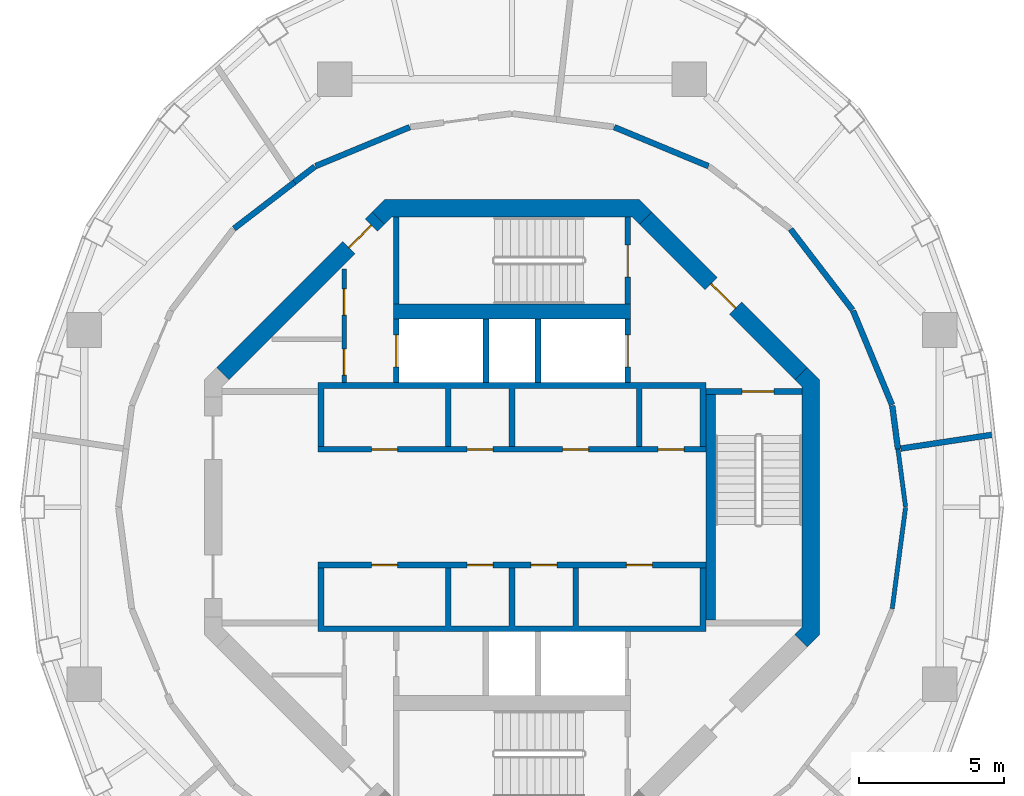
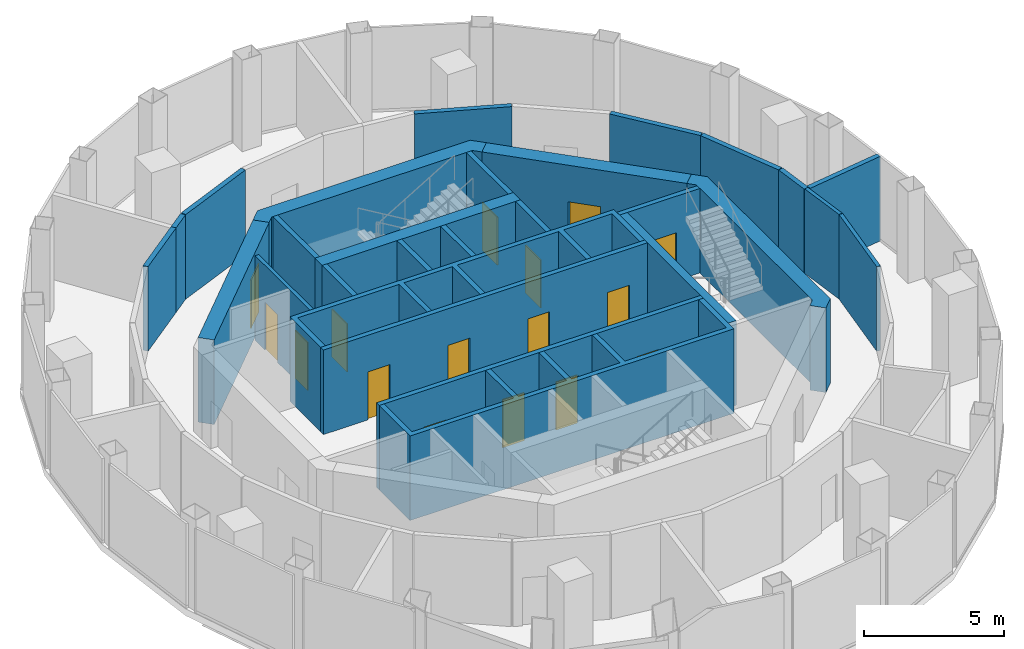
# One storey, part 9 of 12: 28 walls, 16 doors, 16 openings.
"""IFC4 building model written with IfcOpenShell, lengths in metres."""

from ifc_helpers import new_model, si_unit, direction, frame, frame_2d, origin, place, context, subcontext, project, spatial, polyline, rectangle, outline, extrude, material, layer, layer_set, type_object, element, fill, save


model = new_model("IFC4")

# Units and contexts
model_context = context("Model", 3, precision=1e-05, world=origin(), true_north=direction((0.0, 1.0)))
body_context = subcontext(model_context, "Body", "Model", "MODEL_VIEW")
ifc_project = project(units=[si_unit("LENGTHUNIT", "METRE"), si_unit("AREAUNIT", "SQUARE_METRE"), si_unit("VOLUMEUNIT", "CUBIC_METRE"), si_unit("PLANEANGLEUNIT", "RADIAN"), si_unit("MASSUNIT", "GRAM", prefix="KILO")], contexts=[model_context])

# Site, building, storey
site_placement = place(None, origin())
site = spatial("IfcSite", under=ifc_project, at=site_placement, CompositionType="ELEMENT")
building_placement = place(site_placement, origin())
building = spatial("IfcBuilding", under=site, at=building_placement, Name="Nagisa Residences", CompositionType="ELEMENT")
storey_placement = place(building_placement, frame((0.0, 0.0, 328.89990234375)))
storey = spatial("IfcBuildingStorey", under=building, at=storey_placement, Name="L81", CompositionType="ELEMENT", Elevation=328.89990234375)

# Wall, openings, doors
ifc_material_1 = material(Name="Gypsum board on steel studs", Category="steel")
ifc_layer_1 = layer(ifc_material_1, 0.14990234375)
ifc_layer_set_1 = layer_set([ifc_layer_1], Name="Core partition 150")
wall_type_1 = type_object("IfcWallType", Name="Core partition 150", PredefinedType="PARTITIONING", material=ifc_layer_set_1)
wall_1_placement = place(storey_placement, frame((-5.800048828125, 4.300048828125, 0.0), z_axis=(0.0, 0.0, 1.0), x_axis=(0.0, 1.0, 0.0)))
wall_1 = element("IfcWall", 1, at=wall_1_placement, inside=storey, type_object=wall_type_1, Name="wall:L81:NWp", PredefinedType="PARTITIONING", context=body_context, shape_type="SweptSolid", body=[
    extrude(rectangle(XDim=3.927001953125, YDim=0.14990234375, at=frame_2d((1.96337890625, 0.0))), origin(), (0.0, 0.0, 1.0), 3.7001953125),
])
opening_1_placement = place(wall_1_placement, frame((0.262451171875, 0.0, 0.0)))
opening_1 = element("IfcOpeningElement", 2, at=opening_1_placement, cuts=wall_1, Name="Opening L81-C07", PredefinedType="OPENING", context=body_context, shape_type="SweptSolid", body=[
    extrude(rectangle(XDim=0.89990234375, YDim=2.10009765625, at=frame_2d((0.449951171875, 1.050048828125))), frame((0.0, 0.0849609375, 0.0), z_axis=(0.0, -1.0, 0.0), x_axis=(1.0, 0.0, 0.0)), (0.0, 0.0, 1.0), 0.169921875),
])
opening_2_placement = place(wall_1_placement, frame((2.33837890625, 0.0, 0.0)))
opening_2 = element("IfcOpeningElement", 3, at=opening_2_placement, cuts=wall_1, Name="Opening L81-C08", PredefinedType="OPENING", context=body_context, shape_type="SweptSolid", body=[
    extrude(rectangle(XDim=0.89990234375, YDim=2.10009765625, at=frame_2d((0.449951171875, 1.050048828125))), frame((0.0, 0.0849609375, 0.0), z_axis=(0.0, -1.0, 0.0), x_axis=(1.0, 0.0, 0.0)), (0.0, 0.0, 1.0), 0.169921875),
])
ifc_material_2 = material(Name="Steel fire door", Category="steel")
door_type_1 = type_object("IfcDoorType", Name="Fire door EI30 900x2100 single swing", OperationType="NOTDEFINED", PredefinedType="DOOR", material=ifc_material_2)
door_1_placement = place(opening_1_placement, origin())
door_1 = element("IfcDoor", 4, at=door_1_placement, inside=storey, type_object=door_type_1, Name="Linen store door L81", OperationType="SINGLE_SWING_RIGHT", OverallHeight=2.10009765625, OverallWidth=0.89990234375, PredefinedType="DOOR", context=body_context, shape_type="SweptSolid", body=[
    extrude(rectangle(XDim=0.89990234375, YDim=2.10009765625, at=frame_2d((0.449951171875, 1.050048828125))), frame((0.0, 0.02490234375, 0.0), z_axis=(0.0, -1.0, 0.0), x_axis=(1.0, 0.0, 0.0)), (0.0, 0.0, 1.0), 0.050048828125),
])
fill(opening_1, door_1)
door_2_placement = place(opening_2_placement, origin())
door_2 = element("IfcDoor", 5, at=door_2_placement, inside=storey, type_object=door_type_1, Name="Refuse room door L81", OperationType="SINGLE_SWING_RIGHT", OverallHeight=2.10009765625, OverallWidth=0.89990234375, PredefinedType="DOOR", context=body_context, shape_type="SweptSolid", body=[
    extrude(rectangle(XDim=0.89990234375, YDim=2.10009765625, at=frame_2d((0.449951171875, 1.050048828125))), frame((0.0, 0.02490234375, 0.0), z_axis=(0.0, -1.0, 0.0), x_axis=(1.0, 0.0, 0.0)), (0.0, 0.0, 1.0), 0.050048828125),
])
fill(opening_2, door_2)

# Wall, opening, door
ifc_material_3 = material(Name="Concrete C60", Category="concrete")
ifc_layer_2 = layer(ifc_material_3, 0.60009765625)
ifc_layer_set_2 = layer_set([ifc_layer_2], Name="Core shear wall 600")
wall_type_2 = type_object("IfcWallType", Name="Core shear wall 600", PredefinedType="SHEAR", material=ifc_layer_set_2)
wall_2_placement = place(storey_placement, frame((9.98828125, 4.613037109375, 0.0), z_axis=(0.0, 0.0, 1.0), x_axis=(-0.707106781187, 0.707106781187, 0.0)))
wall_2 = element("IfcWall", 6, at=wall_2_placement, inside=storey, type_object=wall_type_2, Name="wall:L81:core:flat1", PredefinedType="SHEAR", context=body_context, shape_type="SweptSolid", body=[
    extrude(rectangle(XDim=7.601806640625, YDim=0.60009765625, at=frame_2d((3.80078125, 0.0))), origin(), (0.0, 0.0, 1.0), 3.7001953125),
])
opening_3_placement = place(wall_2_placement, frame((3.200927734375, 0.0, 0.0)))
opening_3 = element("IfcOpeningElement", 7, at=opening_3_placement, cuts=wall_2, Name="Opening L81-C20", PredefinedType="OPENING", context=body_context, shape_type="SweptSolid", body=[
    extrude(rectangle(XDim=1.199951171875, YDim=2.10009765625, at=frame_2d((0.60009765625, 1.050048828125))), frame((0.0, 0.31005859375, 0.0), z_axis=(0.0, -1.0, 0.0), x_axis=(1.0, 0.0, 0.0)), (0.0, 0.0, 1.0), 0.6201171875),
])
ifc_material_4 = material(Name="Steel fire door", Category="steel")
door_type_2 = type_object("IfcDoorType", Name="Fire door EI60 1200x2100 single swing", OperationType="NOTDEFINED", PredefinedType="DOOR", material=ifc_material_4)
door_3_placement = place(opening_3_placement, origin())
door_3 = element("IfcDoor", 8, at=door_3_placement, inside=storey, type_object=door_type_2, Name="Firefighting lobby 1 door L81", OperationType="SINGLE_SWING_LEFT", OverallHeight=2.10009765625, OverallWidth=1.199951171875, PredefinedType="DOOR", context=body_context, shape_type="SweptSolid", body=[
    extrude(rectangle(XDim=1.199951171875, YDim=2.10009765625, at=frame_2d((0.60009765625, 1.050048828125))), frame((0.0, 0.02490234375, 0.0), z_axis=(0.0, -1.0, 0.0), x_axis=(1.0, 0.0, 0.0)), (0.0, 0.0, 1.0), 0.050048828125),
])
fill(opening_3, door_3)

wall_3_placement = place(storey_placement, frame((-4.613037109375, 9.98828125, 0.0), z_axis=(0.0, 0.0, 1.0), x_axis=(-0.707106781187, -0.707106781187, 0.0)))
wall_3 = element("IfcWall", 9, at=wall_3_placement, inside=storey, type_object=wall_type_2, Name="wall:L81:core:flat3", PredefinedType="SHEAR", context=body_context, shape_type="SweptSolid", body=[
    extrude(rectangle(XDim=7.601806640625, YDim=0.60009765625, at=frame_2d((3.80078125, 0.0))), origin(), (0.0, 0.0, 1.0), 3.7001953125),
])
opening_4_placement = place(wall_3_placement, frame((0.350830078125, 0.0, 0.0)))
opening_4 = element("IfcOpeningElement", 10, at=opening_4_placement, cuts=wall_3, Name="Opening L81-C24", PredefinedType="OPENING", context=body_context, shape_type="SweptSolid", body=[
    extrude(rectangle(XDim=1.10009765625, YDim=2.10009765625, at=frame_2d((0.550048828125, 1.050048828125))), frame((0.0, 0.31005859375, 0.0), z_axis=(0.0, -1.0, 0.0), x_axis=(1.0, 0.0, 0.0)), (0.0, 0.0, 1.0), 0.6201171875),
])
ifc_material_5 = material(Name="Steel fire door", Category="steel")
door_type_3 = type_object("IfcDoorType", Name="Fire door EI60 1100x2100 single swing", OperationType="NOTDEFINED", PredefinedType="DOOR", material=ifc_material_5)
door_4_placement = place(opening_4_placement, origin())
door_4 = element("IfcDoor", 11, at=door_4_placement, inside=storey, type_object=door_type_3, Name="Service lobby door L81", OperationType="SINGLE_SWING_LEFT", OverallHeight=2.10009765625, OverallWidth=1.10009765625, PredefinedType="DOOR", context=body_context, shape_type="SweptSolid", body=[
    extrude(rectangle(XDim=1.10009765625, YDim=2.10009765625, at=frame_2d((0.550048828125, 1.050048828125))), frame((0.0, 0.02490234375, 0.0), z_axis=(0.0, -1.0, 0.0), x_axis=(1.0, 0.0, 0.0)), (0.0, 0.0, 1.0), 0.050048828125),
])
fill(opening_4, door_4)

# Walls
wall_4_placement = place(storey_placement, origin())
element("IfcWall", 12, at=wall_4_placement, inside=storey, type_object=wall_type_2, Name="wall:L81:core:flat2", PredefinedType="SHEAR", context=body_context, shape_type="SweptSolid", body=[
    extrude(outline(polyline([(-4.15234375, 10.024658203125), (-4.40087890625, 9.776123046875), (-4.8251953125, 10.200439453125), (-4.40087890625, 10.62451171875), (4.40087890625, 10.62451171875), (4.8251953125, 10.200439453125), (4.40087890625, 9.776123046875), (4.15234375, 10.024658203125), (-4.15234375, 10.024658203125)])), origin(), (0.0, 0.0, 1.0), 3.7001953125),
])
wall_5_placement = place(storey_placement, origin())
element("IfcWall", 13, at=wall_5_placement, inside=storey, type_object=wall_type_2, Name="wall:L81:core:flat0", PredefinedType="SHEAR", context=body_context, shape_type="SweptSolid", body=[
    extrude(outline(polyline([(9.776123046875, -4.40087890625), (10.024658203125, -4.15234375), (10.024658203125, -3.801025390625), (10.024658203125, 4.15234375), (9.776123046875, 4.40087890625), (10.200439453125, 4.8251953125), (10.62451171875, 4.40087890625), (10.62451171875, -4.40087890625), (10.200439453125, -4.8251953125), (9.776123046875, -4.40087890625)])), origin(), (0.0, 0.0, 1.0), 3.7001953125),
])

# Wall, opening, door
ifc_material_6 = material(Name="Concrete C60", Category="concrete")
ifc_layer_3 = layer(ifc_material_6, 0.199951171875)
ifc_layer_set_3 = layer_set([ifc_layer_3], Name="Lift shaft wall 200")
wall_type_3 = type_object("IfcWallType", Name="Lift shaft wall 200", PredefinedType="SOLIDWALL", material=ifc_layer_set_3)
wall_6_placement = place(storey_placement, frame((4.0, 4.300048828125, 0.0), z_axis=(0.0, 0.0, 1.0), x_axis=(0.0, 1.0, 0.0)))
wall_6 = element("IfcWall", 14, at=wall_6_placement, inside=storey, type_object=wall_type_3, Name="wall:L81:Nb3", PredefinedType="SOLIDWALL", context=body_context, shape_type="SweptSolid", body=[
    extrude(rectangle(XDim=2.199951171875, YDim=0.199951171875, at=frame_2d((1.10009765625, 0.0))), origin(), (0.0, 0.0, 1.0), 3.7001953125),
])
opening_5_placement = place(wall_6_placement, frame((0.550048828125, 0.0, 0.0)))
opening_5 = element("IfcOpeningElement", 15, at=opening_5_placement, cuts=wall_6, Name="Opening L81-C01", PredefinedType="OPENING", context=body_context, shape_type="SweptSolid", body=[
    extrude(rectangle(XDim=1.10009765625, YDim=2.10009765625, at=frame_2d((0.550048828125, 1.050048828125))), frame((0.0, 0.10986328125, 0.0), z_axis=(0.0, -1.0, 0.0), x_axis=(1.0, 0.0, 0.0)), (0.0, 0.0, 1.0), 0.219970703125),
])
ifc_material_7 = material(Name="Stainless steel", Category="steel")
door_type_4 = type_object("IfcDoorType", Name="Lift landing door 1100x2100", OperationType="DOUBLE_DOOR_SLIDING", PredefinedType="DOOR", material=ifc_material_7)
door_5_placement = place(opening_5_placement, origin())
door_5 = element("IfcDoor", 16, at=door_5_placement, inside=storey, type_object=door_type_4, Name="Landing door FL1 L81", OperationType="DOUBLE_DOOR_SLIDING", OverallHeight=2.10009765625, OverallWidth=1.10009765625, PredefinedType="DOOR", context=body_context, shape_type="SweptSolid", body=[
    extrude(rectangle(XDim=1.10009765625, YDim=2.10009765625, at=frame_2d((0.550048828125, 1.050048828125))), frame((0.0, 0.02490234375, 0.0), z_axis=(0.0, -1.0, 0.0), x_axis=(1.0, 0.0, 0.0)), (0.0, 0.0, 1.0), 0.050048828125),
])
fill(opening_5, door_5)

wall_7_placement = place(storey_placement, frame((-4.0, 4.300048828125, 0.0), z_axis=(0.0, 0.0, 1.0), x_axis=(0.0, 1.0, 0.0)))
wall_7 = element("IfcWall", 17, at=wall_7_placement, inside=storey, type_object=wall_type_3, Name="wall:L81:Nb4", PredefinedType="SOLIDWALL", context=body_context, shape_type="SweptSolid", body=[
    extrude(rectangle(XDim=2.199951171875, YDim=0.199951171875, at=frame_2d((1.10009765625, 0.0))), origin(), (0.0, 0.0, 1.0), 3.7001953125),
])
opening_6_placement = place(wall_7_placement, frame((0.550048828125, 0.0, 0.0)))
opening_6 = element("IfcOpeningElement", 18, at=opening_6_placement, cuts=wall_7, Name="Opening L81-C03", PredefinedType="OPENING", context=body_context, shape_type="SweptSolid", body=[
    extrude(rectangle(XDim=1.10009765625, YDim=2.10009765625, at=frame_2d((0.550048828125, 1.050048828125))), frame((0.0, 0.10986328125, 0.0), z_axis=(0.0, -1.0, 0.0), x_axis=(1.0, 0.0, 0.0)), (0.0, 0.0, 1.0), 0.219970703125),
])
door_6_placement = place(opening_6_placement, origin())
door_6 = element("IfcDoor", 19, at=door_6_placement, inside=storey, type_object=door_type_4, Name="Landing door SV L81", OperationType="DOUBLE_DOOR_SLIDING", OverallHeight=2.10009765625, OverallWidth=1.10009765625, PredefinedType="DOOR", context=body_context, shape_type="SweptSolid", body=[
    extrude(rectangle(XDim=1.10009765625, YDim=2.10009765625, at=frame_2d((0.550048828125, 1.050048828125))), frame((0.0, 0.02490234375, 0.0), z_axis=(0.0, -1.0, 0.0), x_axis=(1.0, 0.0, 0.0)), (0.0, 0.0, 1.0), 0.050048828125),
])
fill(opening_6, door_6)

# Wall, openings, doors
wall_8_placement = place(storey_placement, frame((-6.699951171875, 2.0, 0.0), z_axis=(0.0, 0.0, 1.0), x_axis=(1.0, 0.0, 0.0)))
wall_8 = element("IfcWall", 20, at=wall_8_placement, inside=storey, type_object=wall_type_3, Name="wall:L81:Nfront", PredefinedType="SOLIDWALL", context=body_context, shape_type="SweptSolid", body=[
    extrude(rectangle(XDim=13.39990234375, YDim=0.199951171875, at=frame_2d((6.699951171875, 0.0))), origin(), (0.0, 0.0, 1.0), 3.7001953125),
])
opening_7_placement = place(wall_8_placement, frame((1.85009765625, 0.0, 0.0)))
opening_7 = element("IfcOpeningElement", 21, at=opening_7_placement, cuts=wall_8, Name="Opening L81-C12", PredefinedType="OPENING", context=body_context, shape_type="SweptSolid", body=[
    extrude(rectangle(XDim=0.89990234375, YDim=2.10009765625, at=frame_2d((0.449951171875, 1.050048828125))), frame((0.0, 0.10986328125, 0.0), z_axis=(0.0, -1.0, 0.0), x_axis=(1.0, 0.0, 0.0)), (0.0, 0.0, 1.0), 0.219970703125),
])
opening_8_placement = place(wall_8_placement, frame((5.14990234375, 0.0, 0.0)))
opening_8 = element("IfcOpeningElement", 22, at=opening_8_placement, cuts=wall_8, Name="Opening L81-C13", PredefinedType="OPENING", context=body_context, shape_type="SweptSolid", body=[
    extrude(rectangle(XDim=0.89990234375, YDim=2.10009765625, at=frame_2d((0.449951171875, 1.050048828125))), frame((0.0, 0.10986328125, 0.0), z_axis=(0.0, -1.0, 0.0), x_axis=(1.0, 0.0, 0.0)), (0.0, 0.0, 1.0), 0.219970703125),
])
opening_9_placement = place(wall_8_placement, frame((8.449951171875, 0.0, 0.0)))
opening_9 = element("IfcOpeningElement", 23, at=opening_9_placement, cuts=wall_8, Name="Opening L81-C14", PredefinedType="OPENING", context=body_context, shape_type="SweptSolid", body=[
    extrude(rectangle(XDim=0.89990234375, YDim=2.10009765625, at=frame_2d((0.449951171875, 1.050048828125))), frame((0.0, 0.10986328125, 0.0), z_axis=(0.0, -1.0, 0.0), x_axis=(1.0, 0.0, 0.0)), (0.0, 0.0, 1.0), 0.219970703125),
])
opening_10_placement = place(wall_8_placement, frame((11.75, 0.0, 0.0)))
opening_10 = element("IfcOpeningElement", 24, at=opening_10_placement, cuts=wall_8, Name="Opening L81-C15", PredefinedType="OPENING", context=body_context, shape_type="SweptSolid", body=[
    extrude(rectangle(XDim=0.89990234375, YDim=2.10009765625, at=frame_2d((0.449951171875, 1.050048828125))), frame((0.0, 0.10986328125, 0.0), z_axis=(0.0, -1.0, 0.0), x_axis=(1.0, 0.0, 0.0)), (0.0, 0.0, 1.0), 0.219970703125),
])
door_7_placement = place(opening_7_placement, origin())
door_7 = element("IfcDoor", 25, at=door_7_placement, inside=storey, type_object=door_type_1, Name="Chiller store door L81", OperationType="SINGLE_SWING_LEFT", OverallHeight=2.10009765625, OverallWidth=0.89990234375, PredefinedType="DOOR", context=body_context, shape_type="SweptSolid", body=[
    extrude(rectangle(XDim=0.89990234375, YDim=2.10009765625, at=frame_2d((0.449951171875, 1.050048828125))), frame((0.0, 0.02490234375, 0.0), z_axis=(0.0, -1.0, 0.0), x_axis=(1.0, 0.0, 0.0)), (0.0, 0.0, 1.0), 0.050048828125),
])
fill(opening_7, door_7)
door_8_placement = place(opening_8_placement, origin())
door_8 = element("IfcDoor", 26, at=door_8_placement, inside=storey, type_object=door_type_1, Name="Electrical room door L81", OperationType="SINGLE_SWING_LEFT", OverallHeight=2.10009765625, OverallWidth=0.89990234375, PredefinedType="DOOR", context=body_context, shape_type="SweptSolid", body=[
    extrude(rectangle(XDim=0.89990234375, YDim=2.10009765625, at=frame_2d((0.449951171875, 1.050048828125))), frame((0.0, 0.02490234375, 0.0), z_axis=(0.0, -1.0, 0.0), x_axis=(1.0, 0.0, 0.0)), (0.0, 0.0, 1.0), 0.050048828125),
])
fill(opening_8, door_8)
door_9_placement = place(opening_9_placement, origin())
door_9 = element("IfcDoor", 27, at=door_9_placement, inside=storey, type_object=door_type_1, Name="Chiller store door L81", OperationType="SINGLE_SWING_LEFT", OverallHeight=2.10009765625, OverallWidth=0.89990234375, PredefinedType="DOOR", context=body_context, shape_type="SweptSolid", body=[
    extrude(rectangle(XDim=0.89990234375, YDim=2.10009765625, at=frame_2d((0.449951171875, 1.050048828125))), frame((0.0, 0.02490234375, 0.0), z_axis=(0.0, -1.0, 0.0), x_axis=(1.0, 0.0, 0.0)), (0.0, 0.0, 1.0), 0.050048828125),
])
fill(opening_9, door_9)
door_10_placement = place(opening_10_placement, origin())
door_10 = element("IfcDoor", 28, at=door_10_placement, inside=storey, type_object=door_type_1, Name="Electrical room door L81", OperationType="SINGLE_SWING_RIGHT", OverallHeight=2.10009765625, OverallWidth=0.89990234375, PredefinedType="DOOR", context=body_context, shape_type="SweptSolid", body=[
    extrude(rectangle(XDim=0.89990234375, YDim=2.10009765625, at=frame_2d((0.449951171875, 1.050048828125))), frame((0.0, 0.02490234375, 0.0), z_axis=(0.0, -1.0, 0.0), x_axis=(1.0, 0.0, 0.0)), (0.0, 0.0, 1.0), 0.050048828125),
])
fill(opening_10, door_10)

wall_9_placement = place(storey_placement, frame((-6.699951171875, -2.0, 0.0), z_axis=(0.0, 0.0, 1.0), x_axis=(1.0, 0.0, 0.0)))
wall_9 = element("IfcWall", 29, at=wall_9_placement, inside=storey, type_object=wall_type_3, Name="wall:L81:Sfront", PredefinedType="SOLIDWALL", context=body_context, shape_type="SweptSolid", body=[
    extrude(rectangle(XDim=13.39990234375, YDim=0.199951171875, at=frame_2d((6.699951171875, 0.0))), origin(), (0.0, 0.0, 1.0), 3.7001953125),
])
opening_11_placement = place(wall_9_placement, frame((1.85009765625, 0.0, 0.0)))
opening_11 = element("IfcOpeningElement", 30, at=opening_11_placement, cuts=wall_9, Name="Opening L81-C16", PredefinedType="OPENING", context=body_context, shape_type="SweptSolid", body=[
    extrude(rectangle(XDim=0.89990234375, YDim=2.10009765625, at=frame_2d((0.449951171875, 1.050048828125))), frame((0.0, 0.10986328125, 0.0), z_axis=(0.0, -1.0, 0.0), x_axis=(1.0, 0.0, 0.0)), (0.0, 0.0, 1.0), 0.219970703125),
])
opening_12_placement = place(wall_9_placement, frame((5.14990234375, 0.0, 0.0)))
opening_12 = element("IfcOpeningElement", 31, at=opening_12_placement, cuts=wall_9, Name="Opening L81-C17", PredefinedType="OPENING", context=body_context, shape_type="SweptSolid", body=[
    extrude(rectangle(XDim=0.89990234375, YDim=2.10009765625, at=frame_2d((0.449951171875, 1.050048828125))), frame((0.0, 0.10986328125, 0.0), z_axis=(0.0, -1.0, 0.0), x_axis=(1.0, 0.0, 0.0)), (0.0, 0.0, 1.0), 0.219970703125),
])
opening_13_placement = place(wall_9_placement, frame((7.35009765625, 0.0, 0.0)))
opening_13 = element("IfcOpeningElement", 32, at=opening_13_placement, cuts=wall_9, Name="Opening L81-C18", PredefinedType="OPENING", context=body_context, shape_type="SweptSolid", body=[
    extrude(rectangle(XDim=0.89990234375, YDim=2.10009765625, at=frame_2d((0.449951171875, 1.050048828125))), frame((0.0, 0.10986328125, 0.0), z_axis=(0.0, -1.0, 0.0), x_axis=(1.0, 0.0, 0.0)), (0.0, 0.0, 1.0), 0.219970703125),
])
opening_14_placement = place(wall_9_placement, frame((10.64990234375, 0.0, 0.0)))
opening_14 = element("IfcOpeningElement", 33, at=opening_14_placement, cuts=wall_9, Name="Opening L81-C19", PredefinedType="OPENING", context=body_context, shape_type="SweptSolid", body=[
    extrude(rectangle(XDim=0.89990234375, YDim=2.10009765625, at=frame_2d((0.449951171875, 1.050048828125))), frame((0.0, 0.10986328125, 0.0), z_axis=(0.0, -1.0, 0.0), x_axis=(1.0, 0.0, 0.0)), (0.0, 0.0, 1.0), 0.219970703125),
])
door_11_placement = place(opening_11_placement, frame((0.89990234375, 0.0, 0.0), x_axis=(-1.0, 0.0, 0.0)))
door_11 = element("IfcDoor", 34, at=door_11_placement, inside=storey, type_object=door_type_1, Name="Chiller store door L81", OperationType="SINGLE_SWING_RIGHT", OverallHeight=2.10009765625, OverallWidth=0.89990234375, PredefinedType="DOOR", context=body_context, shape_type="SweptSolid", body=[
    extrude(rectangle(XDim=0.89990234375, YDim=2.10009765625, at=frame_2d((0.449951171875, 1.050048828125))), frame((0.0, 0.02490234375, 0.0), z_axis=(0.0, -1.0, 0.0), x_axis=(1.0, 0.0, 0.0)), (0.0, 0.0, 1.0), 0.050048828125),
])
fill(opening_11, door_11)
door_12_placement = place(opening_12_placement, frame((0.89990234375, 0.0, 0.0), x_axis=(-1.0, 0.0, 0.0)))
door_12 = element("IfcDoor", 35, at=door_12_placement, inside=storey, type_object=door_type_1, Name="Electrical room door L81", OperationType="SINGLE_SWING_RIGHT", OverallHeight=2.10009765625, OverallWidth=0.89990234375, PredefinedType="DOOR", context=body_context, shape_type="SweptSolid", body=[
    extrude(rectangle(XDim=0.89990234375, YDim=2.10009765625, at=frame_2d((0.449951171875, 1.050048828125))), frame((0.0, 0.02490234375, 0.0), z_axis=(0.0, -1.0, 0.0), x_axis=(1.0, 0.0, 0.0)), (0.0, 0.0, 1.0), 0.050048828125),
])
fill(opening_12, door_12)
door_13_placement = place(opening_13_placement, frame((0.89990234375, 0.0, 0.0), x_axis=(-1.0, 0.0, 0.0)))
door_13 = element("IfcDoor", 36, at=door_13_placement, inside=storey, type_object=door_type_1, Name="Chiller store door L81", OperationType="SINGLE_SWING_RIGHT", OverallHeight=2.10009765625, OverallWidth=0.89990234375, PredefinedType="DOOR", context=body_context, shape_type="SweptSolid", body=[
    extrude(rectangle(XDim=0.89990234375, YDim=2.10009765625, at=frame_2d((0.449951171875, 1.050048828125))), frame((0.0, 0.02490234375, 0.0), z_axis=(0.0, -1.0, 0.0), x_axis=(1.0, 0.0, 0.0)), (0.0, 0.0, 1.0), 0.050048828125),
])
fill(opening_13, door_13)
door_14_placement = place(opening_14_placement, frame((0.89990234375, 0.0, 0.0), x_axis=(-1.0, 0.0, 0.0)))
door_14 = element("IfcDoor", 37, at=door_14_placement, inside=storey, type_object=door_type_1, Name="Electrical room door L81", OperationType="SINGLE_SWING_LEFT", OverallHeight=2.10009765625, OverallWidth=0.89990234375, PredefinedType="DOOR", context=body_context, shape_type="SweptSolid", body=[
    extrude(rectangle(XDim=0.89990234375, YDim=2.10009765625, at=frame_2d((0.449951171875, 1.050048828125))), frame((0.0, 0.02490234375, 0.0), z_axis=(0.0, -1.0, 0.0), x_axis=(1.0, 0.0, 0.0)), (0.0, 0.0, 1.0), 0.050048828125),
])
fill(opening_14, door_14)

# Walls
wall_10_placement = place(storey_placement, origin())
element("IfcWall", 38, at=wall_10_placement, inside=storey, type_object=wall_type_3, Name="wall:L81:Sback", PredefinedType="SOLIDWALL", context=body_context, shape_type="SweptSolid", body=[
    extrude(outline(polyline([(-6.699951171875, -2.10009765625), (-6.5, -2.10009765625), (-6.5, -4.10009765625), (-2.300048828125, -4.10009765625), (-2.300048828125, -2.10009765625), (-2.10009765625, -2.10009765625), (-2.10009765625, -4.10009765625), (-0.10009765625, -4.10009765625), (-0.10009765625, -2.10009765625), (0.10009765625, -2.10009765625), (0.10009765625, -4.10009765625), (2.10009765625, -4.10009765625), (2.10009765625, -2.10009765625), (2.300048828125, -2.10009765625), (2.300048828125, -4.10009765625), (6.5, -4.10009765625), (6.5, -2.10009765625), (6.699951171875, -2.10009765625), (6.699951171875, -4.300048828125), (-6.699951171875, -4.300048828125), (-6.699951171875, -2.10009765625)])), origin(), (0.0, 0.0, 1.0), 3.7001953125),
])
for number, where, z_axis, x_axis, name in (
    (39, (-0.89990234375, 4.300048828125, 0.0), (0.0, 0.0, 1.0), (0.0, 1.0, 0.0), "wall:L81:Nb1"),
    (40, (0.89990234375, 4.300048828125, 0.0), (0.0, 0.0, 1.0), (0.0, 1.0, 0.0), "wall:L81:Nb2"),
):
    element("IfcWall", number, at=place(storey_placement, frame(where, z_axis=z_axis, x_axis=x_axis)), inside=storey, type_object=wall_type_3, Name=name, PredefinedType="SOLIDWALL", context=body_context, shape_type="SweptSolid", body=[
        extrude(rectangle(XDim=2.199951171875, YDim=0.199951171875, at=frame_2d((1.10009765625, 0.0))), origin(), (0.0, 0.0, 1.0), 3.7001953125),
    ])
wall_11_placement = place(storey_placement, origin())
element("IfcWall", 41, at=wall_11_placement, inside=storey, type_object=wall_type_3, Name="wall:L81:Nback", PredefinedType="SOLIDWALL", context=body_context, shape_type="SweptSolid", body=[
    extrude(outline(polyline([(-6.699951171875, 4.300048828125), (6.699951171875, 4.300048828125), (6.699951171875, 2.10009765625), (6.5, 2.10009765625), (6.5, 4.10009765625), (4.5, 4.10009765625), (4.5, 2.10009765625), (4.300048828125, 2.10009765625), (4.300048828125, 4.10009765625), (0.10009765625, 4.10009765625), (0.10009765625, 2.10009765625), (-0.10009765625, 2.10009765625), (-0.10009765625, 4.10009765625), (-2.10009765625, 4.10009765625), (-2.10009765625, 2.10009765625), (-2.300048828125, 2.10009765625), (-2.300048828125, 4.10009765625), (-6.5, 4.10009765625), (-6.5, 2.10009765625), (-6.699951171875, 2.10009765625), (-6.699951171875, 4.300048828125)])), origin(), (0.0, 0.0, 1.0), 3.7001953125),
])
ifc_material_8 = material(Name="Gypsum board on steel studs", Category="steel")
ifc_layer_4 = layer(ifc_material_8, 0.199951171875)
ifc_layer_set_4 = layer_set([ifc_layer_4], Name="Plant room wall EI120 200")
wall_type_4 = type_object("IfcWallType", Name="Plant room wall EI120 200", PredefinedType="PARTITIONING", material=ifc_layer_set_4)
wall_12_placement = place(storey_placement, frame((-9.604736328125, 9.6259765625, 0.0), z_axis=(0.0, 0.0, 1.0), x_axis=(0.793395797287, 0.608706093979, 0.0)))
element("IfcWall", 42, at=wall_12_placement, inside=storey, type_object=wall_type_4, Name="wall:L81:am019", PredefinedType="PARTITIONING", context=body_context, shape_type="SweptSolid", body=[
    extrude(rectangle(XDim=2.6318359375, YDim=0.199951171875, at=frame_2d((1.31591796875, 0.0))), origin(), (0.0, 0.0, 1.0), 3.7001953125),
])
wall_13_placement = place(storey_placement, frame((-7.5166015625, 11.22802734375, 0.0), z_axis=(0.0, 0.0, 1.0), x_axis=(0.793420478802, 0.608673922407, 0.0)))
element("IfcWall", 43, at=wall_13_placement, inside=storey, type_object=wall_type_4, Name="wall:L81:am021", PredefinedType="PARTITIONING", context=body_context, shape_type="SweptSolid", body=[
    extrude(rectangle(XDim=0.887939453125, YDim=0.199951171875, at=frame_2d((0.44384765625, 0.0))), origin(), (0.0, 0.0, 1.0), 3.7001953125),
])
for number, where, z_axis, x_axis, name in (
    (44, (-6.785888671875, 11.78369140625, 0.0), (0.0, 0.0, 1.0), (0.92386297064, 0.382723413813, 0.0), "wall:L81:am023"),
    (45, (3.533935546875, 13.130859375, 0.0), (0.0, 0.0, 1.0), (0.92386297064, -0.382723413813, 0.0), "wall:L81:am033"),
    (46, (9.6259765625, 9.604736328125, 0.0), (0.0, 0.0, 1.0), (0.608697977542, -0.793402024283, 0.0), "wall:L81:am037"),
    (47, (11.78369140625, 6.785888671875, 0.0), (0.0, 0.0, 1.0), (0.382723413813, -0.92386297064, 0.0), "wall:L81:am039"),
):
    element("IfcWall", number, at=place(storey_placement, frame(where, z_axis=z_axis, x_axis=x_axis)), inside=storey, type_object=wall_type_4, Name=name, PredefinedType="PARTITIONING", context=body_context, shape_type="SweptSolid", body=[
        extrude(rectangle(XDim=3.52001953125, YDim=0.199951171875, at=frame_2d((1.760009765625, 0.0))), origin(), (0.0, 0.0, 1.0), 3.7001953125),
    ])
wall_14_placement = place(storey_placement, frame((13.138671875, 3.5048828125, 0.0), z_axis=(0.0, 0.0, 1.0), x_axis=(0.130391662061, -0.99146256332, 0.0)))
element("IfcWall", 48, at=wall_14_placement, inside=storey, type_object=wall_type_4, Name="wall:L81:am040", PredefinedType="PARTITIONING", context=body_context, shape_type="SweptSolid", body=[
    extrude(rectangle(XDim=1.50732421875, YDim=0.199951171875, at=frame_2d((0.753662109375, 0.0))), origin(), (0.0, 0.0, 1.0), 3.7001953125),
])
wall_15_placement = place(storey_placement, frame((13.43408203125, 2.025390625, 0.0), z_axis=(0.0, 0.0, 1.0), x_axis=(0.988817905908, 0.149127961685, 0.0)))
element("IfcWall", 49, at=wall_15_placement, inside=storey, type_object=wall_type_4, Name="wall:L81:am041", PredefinedType="PARTITIONING", context=body_context, shape_type="SweptSolid", body=[
    extrude(rectangle(XDim=3.213623046875, YDim=0.199951171875, at=frame_2d((1.60693359375, 0.0))), origin(), (0.0, 0.0, 1.0), 3.7001953125),
])
ifc_material_9 = material(Name="Gypsum board on steel studs", Category="steel")
ifc_layer_5 = layer(ifc_material_9, 0.14990234375)
ifc_layer_set_5 = layer_set([ifc_layer_5], Name="Room partition EI60 150")
wall_type_5 = type_object("IfcWallType", Name="Room partition EI60 150", PredefinedType="PARTITIONING", material=ifc_layer_set_5)
wall_16_placement = place(storey_placement, frame((13.335205078125, 2.010498046875, 0.0), z_axis=(0.0, 0.0, 1.0), x_axis=(0.130545357325, -0.991442338051, 0.0)))
element("IfcWall", 50, at=wall_16_placement, inside=storey, type_object=wall_type_5, Name="wall:L81:am007", PredefinedType="PARTITIONING", context=body_context, shape_type="SweptSolid", body=[
    extrude(rectangle(XDim=2.01611328125, YDim=0.14990234375, at=frame_2d((1.008056640625, 0.0))), origin(), (0.0, 0.0, 1.0), 3.7001953125),
])
wall_17_placement = place(storey_placement, frame((13.598388671875, -0.01171875, 0.0), z_axis=(0.0, 0.0, 1.0), x_axis=(-0.130499283623, -0.991448403586, 0.0)))
element("IfcWall", 51, at=wall_17_placement, inside=storey, type_object=wall_type_5, Name="wall:L81:am008", PredefinedType="PARTITIONING", context=body_context, shape_type="SweptSolid", body=[
    extrude(rectangle(XDim=3.526611328125, YDim=0.14990234375, at=frame_2d((1.76318359375, 0.0))), origin(), (0.0, 0.0, 1.0), 3.7001953125),
])

# Wall, opening, door
ifc_material_10 = material(Name="Concrete C60", Category="concrete")
ifc_layer_6 = layer(ifc_material_10, 0.199951171875)
ifc_layer_set_6 = layer_set([ifc_layer_6], Name="Stair enclosure wall 200")
wall_type_6 = type_object("IfcWallType", Name="Stair enclosure wall 200", PredefinedType="SOLIDWALL", material=ifc_layer_set_6)
wall_18_placement = place(storey_placement, frame((6.699951171875, 4.0, 0.0), z_axis=(0.0, 0.0, 1.0), x_axis=(1.0, 0.0, 0.0)))
wall_18 = element("IfcWall", 52, at=wall_18_placement, inside=storey, type_object=wall_type_6, Name="wall:L81:SE_n", PredefinedType="SOLIDWALL", context=body_context, shape_type="SweptSolid", body=[
    extrude(rectangle(XDim=3.32470703125, YDim=0.199951171875, at=frame_2d((1.662353515625, 0.0))), origin(), (0.0, 0.0, 1.0), 3.7001953125),
])
opening_15_placement = place(wall_18_placement, frame((1.25, 0.0, 0.0)))
opening_15 = element("IfcOpeningElement", 53, at=opening_15_placement, cuts=wall_18, Name="Opening L81-C04", PredefinedType="OPENING", context=body_context, shape_type="SweptSolid", body=[
    extrude(rectangle(XDim=1.10009765625, YDim=2.10009765625, at=frame_2d((0.550048828125, 1.050048828125))), frame((0.0, 0.10986328125, 0.0), z_axis=(0.0, -1.0, 0.0), x_axis=(1.0, 0.0, 0.0)), (0.0, 0.0, 1.0), 0.219970703125),
])
ifc_material_11 = material(Name="Steel fire door", Category="steel")
door_type_5 = type_object("IfcDoorType", Name="Fire door EI90 1100x2100 single swing", OperationType="NOTDEFINED", PredefinedType="DOOR", material=ifc_material_11)
door_15_placement = place(opening_15_placement, frame((1.10009765625, 0.0, 0.0), x_axis=(-1.0, 0.0, 0.0)))
door_15 = element("IfcDoor", 54, at=door_15_placement, inside=storey, type_object=door_type_5, Name="Stair door ST-E L81", OperationType="SINGLE_SWING_RIGHT", OverallHeight=2.10009765625, OverallWidth=1.10009765625, PredefinedType="DOOR", context=body_context, shape_type="SweptSolid", body=[
    extrude(rectangle(XDim=1.10009765625, YDim=2.10009765625, at=frame_2d((0.550048828125, 1.050048828125))), frame((0.0, 0.02490234375, 0.0), z_axis=(0.0, -1.0, 0.0), x_axis=(1.0, 0.0, 0.0)), (0.0, 0.0, 1.0), 0.050048828125),
])
fill(opening_15, door_15)

wall_19_placement = place(storey_placement, frame((4.0, 7.024658203125, 0.0), z_axis=(0.0, 0.0, 1.0), x_axis=(0.0, 1.0, 0.0)))
wall_19 = element("IfcWall", 55, at=wall_19_placement, inside=storey, type_object=wall_type_6, Name="wall:L81:SN_e", PredefinedType="SOLIDWALL", context=body_context, shape_type="SweptSolid", body=[
    extrude(rectangle(XDim=3.0, YDim=0.199951171875, at=frame_2d((1.5, 0.0))), origin(), (0.0, 0.0, 1.0), 3.7001953125),
])
opening_16_placement = place(wall_19_placement, frame((0.92529296875, 0.0, 0.0)))
opening_16 = element("IfcOpeningElement", 56, at=opening_16_placement, cuts=wall_19, Name="Opening L81-C05", PredefinedType="OPENING", context=body_context, shape_type="SweptSolid", body=[
    extrude(rectangle(XDim=1.10009765625, YDim=2.10009765625, at=frame_2d((0.550048828125, 1.050048828125))), frame((0.0, 0.10986328125, 0.0), z_axis=(0.0, -1.0, 0.0), x_axis=(1.0, 0.0, 0.0)), (0.0, 0.0, 1.0), 0.219970703125),
])
door_16_placement = place(opening_16_placement, origin())
door_16 = element("IfcDoor", 57, at=door_16_placement, inside=storey, type_object=door_type_5, Name="Stair door ST-N L81", OperationType="SINGLE_SWING_LEFT", OverallHeight=2.10009765625, OverallWidth=1.10009765625, PredefinedType="DOOR", context=body_context, shape_type="SweptSolid", body=[
    extrude(rectangle(XDim=1.10009765625, YDim=2.10009765625, at=frame_2d((0.550048828125, 1.050048828125))), frame((0.0, 0.02490234375, 0.0), z_axis=(0.0, -1.0, 0.0), x_axis=(1.0, 0.0, 0.0)), (0.0, 0.0, 1.0), 0.050048828125),
])
fill(opening_16, door_16)

# Walls
wall_20_placement = place(storey_placement, origin())
element("IfcWall", 58, at=wall_20_placement, inside=storey, type_object=wall_type_6, Name="wall:L81:SN_w", PredefinedType="SOLIDWALL", context=body_context, shape_type="SweptSolid", body=[
    extrude(outline(polyline([(-3.89990234375, 7.024658203125), (-4.10009765625, 7.024658203125), (-4.10009765625, 10.024658203125), (-3.89990234375, 10.024658203125), (-3.89990234375, 7.024658203125)])), origin(), (0.0, 0.0, 1.0), 3.7001953125),
])
wall_21_placement = place(storey_placement, origin())
element("IfcWall", 59, at=wall_21_placement, inside=storey, type_object=wall_type_6, Name="wall:L81:SN_s", PredefinedType="SOLIDWALL", context=body_context, shape_type="SweptSolid", body=[
    extrude(outline(polyline([(4.10009765625, 6.5), (-4.10009765625, 6.5), (-4.10009765625, 7.024658203125), (4.10009765625, 7.024658203125), (4.10009765625, 6.5)])), origin(), (0.0, 0.0, 1.0), 3.7001953125),
])
wall_22_placement = place(storey_placement, origin())
element("IfcWall", 60, at=wall_22_placement, inside=storey, type_object=wall_type_6, Name="wall:L81:SE_w", PredefinedType="SOLIDWALL", context=body_context, shape_type="SweptSolid", body=[
    extrude(outline(polyline([(7.024658203125, -3.89990234375), (6.699951171875, -3.89990234375), (6.699951171875, 3.89990234375), (7.024658203125, 3.89990234375), (7.024658203125, -3.89990234375)])), origin(), (0.0, 0.0, 1.0), 3.7001953125),
])

save(model, "model.ifc")
